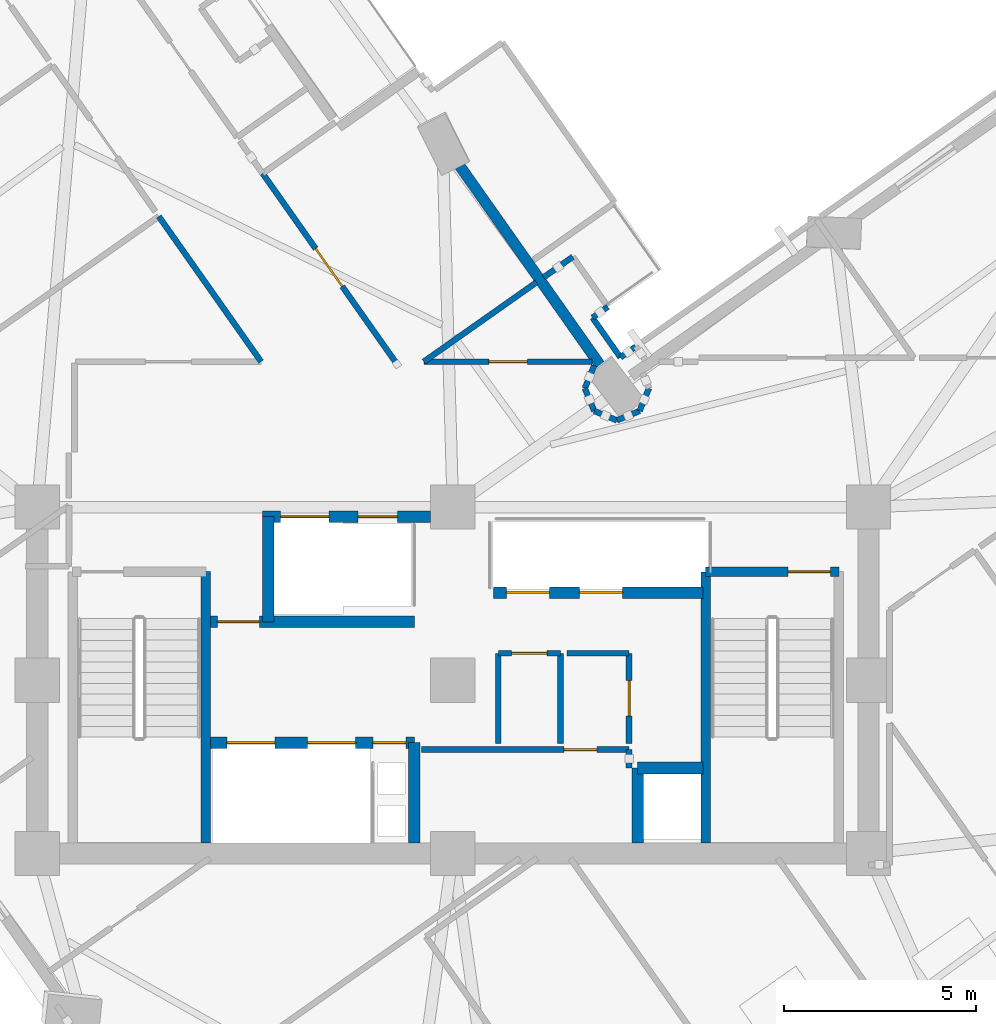
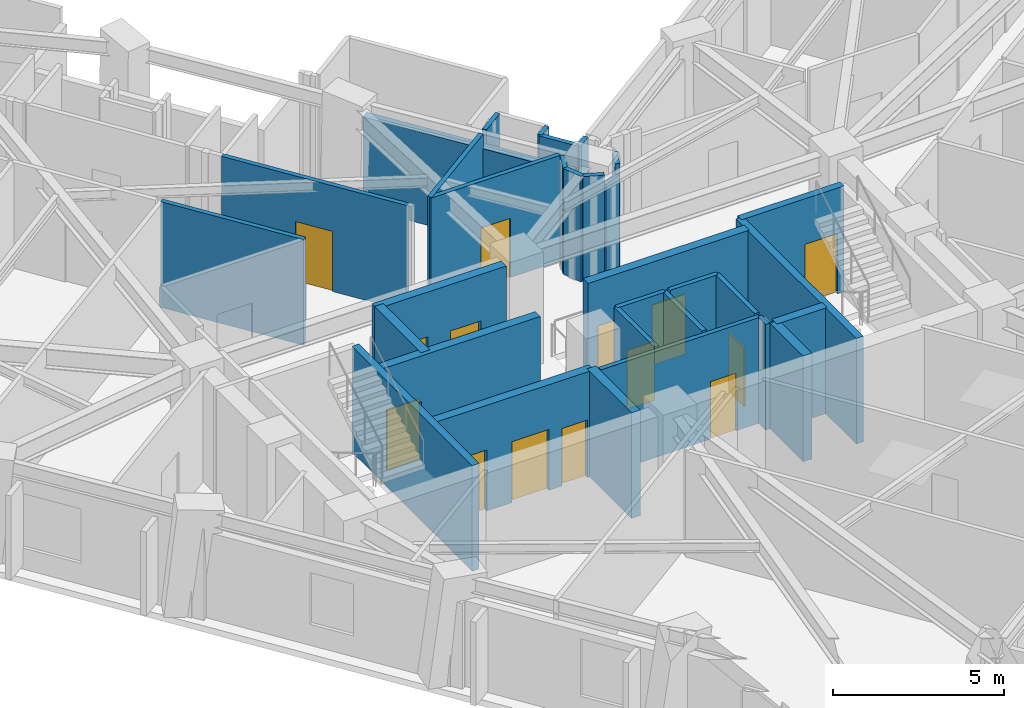
# One storey, part 5 of 13: 32 walls, 14 doors, 14 openings.
"""IFC4 building model written with IfcOpenShell, lengths in metres."""

from ifc_helpers import new_model, si_unit, direction, frame, frame_2d, origin, place, context, subcontext, project, spatial, rectangle, extrude, material, layer, layer_set, type_object, element, fill, save


model = new_model("IFC4")

# Units and contexts
model_context = context("Model", 3, precision=1e-05, world=origin(), true_north=direction((0.0, 1.0)))
body_context = subcontext(model_context, "Body", "Model", "MODEL_VIEW")
ifc_project = project(units=[si_unit("LENGTHUNIT", "METRE"), si_unit("AREAUNIT", "SQUARE_METRE"), si_unit("VOLUMEUNIT", "CUBIC_METRE"), si_unit("PLANEANGLEUNIT", "RADIAN"), si_unit("MASSUNIT", "GRAM", prefix="KILO")], contexts=[model_context])

# Site, building, storey
site_placement = place(None, origin())
site = spatial("IfcSite", under=ifc_project, at=site_placement, CompositionType="ELEMENT")
building_placement = place(site_placement, origin())
building = spatial("IfcBuilding", under=site, at=building_placement, Name="Gaonmaruhae Medical Tower", CompositionType="ELEMENT")
storey_placement = place(building_placement, frame((0.0, 0.0, 173.800048828125)))
storey = spatial("IfcBuildingStorey", under=building, at=storey_placement, Name="L41", CompositionType="ELEMENT", Elevation=173.800048828125)

# Wall
ifc_material_1 = material(Name="Precast concrete C45/55", Category="concrete")
ifc_layer_1 = layer(ifc_material_1, 0.280029296875)
ifc_layer_set_1 = layer_set([ifc_layer_1], Name="Precast concrete C45/55")
wall_type_1 = type_object("IfcWallType", Name="EW-280 Upper Precast Masonry-Frame Facade Wall", PredefinedType="SOLIDWALL", material=ifc_layer_set_1)
wall_1_placement = place(storey_placement, frame((28.76708984375, 20.28662109375, 0.0), z_axis=(0.0, 0.0, 1.0), x_axis=(-0.575707206598, 0.817655925357, 0.0)))
element("IfcWall", 1, at=wall_1_placement, inside=storey, type_object=wall_type_1, Name="L41 Precast Masonry-Frame Wall KN01-NE01", PredefinedType="SOLIDWALL", context=body_context, shape_type="SweptSolid", body=[
    extrude(rectangle(XDim=6.759765625, YDim=0.280029296875, at=frame_2d((3.3798828125, 0.0))), origin(), (0.0, 0.0, 1.0), 3.264892578125),
])

# Wall, opening, door
ifc_material_2 = material(Name="Gypsum board partition", Category="gypsum")
ifc_layer_2 = layer(ifc_material_2, 0.14990234375)
ifc_layer_set_2 = layer_set([ifc_layer_2], Name="Gypsum board partition")
wall_type_2 = type_object("IfcWallType", Name="PW-150 Rated Clinical Corridor Partition", PredefinedType="PARTITIONING", material=ifc_layer_set_2)
wall_2_placement = place(storey_placement, frame((23.97998046875, 10.5, 0.0), z_axis=(0.0, 0.0, 1.0), x_axis=(1.0, 0.0, 0.0)))
wall_2 = element("IfcWall", 2, at=wall_2_placement, inside=storey, type_object=wall_type_2, Name="L41 Interior Partition L41-RCL1-1", PredefinedType="PARTITIONING", context=body_context, shape_type="SweptSolid", body=[
    extrude(rectangle(XDim=5.39990234375, YDim=0.14990234375, at=frame_2d((2.699951171875, 0.0))), origin(), (0.0, 0.0, 1.0), 3.780029296875),
])
opening_1_placement = place(wall_2_placement, frame((3.702880859375, 0.0, 0.0)))
opening_1 = element("IfcOpeningElement", 3, at=opening_1_placement, cuts=wall_2, Name="Opening AD-01", PredefinedType="OPENING", context=body_context, shape_type="SweptSolid", body=[
    extrude(rectangle(XDim=0.860107421875, YDim=2.06005859375, at=frame_2d((0.43017578125, 1.030029296875))), frame((0.0, 0.0849609375, 0.0), z_axis=(0.0, -1.0, 0.0), x_axis=(1.0, 0.0, 0.0)), (0.0, 0.0, 1.0), 0.169921875),
])
ifc_material_3 = material(Name="Powder-coated steel access door", Category="steel")
door_type_1 = type_object("IfcDoorType", Name="AD-01 Riser & Closet Access Fire Door 860x2060", OperationType="NOTDEFINED", PredefinedType="DOOR", material=ifc_material_3)
door_1_placement = place(opening_1_placement, origin())
door_1 = element("IfcDoor", 4, at=door_1_placement, inside=storey, type_object=door_type_1, Name="L41 Biomedical Infusion Preparation Room Sliding Door", OperationType="SLIDING_TO_LEFT", OverallHeight=2.06005859375, OverallWidth=0.860107421875, PredefinedType="DOOR", context=body_context, shape_type="SweptSolid", body=[
    extrude(rectangle(XDim=0.860107421875, YDim=2.06005859375, at=frame_2d((0.43017578125, 1.030029296875))), frame((0.0, 0.02490234375, 0.0), z_axis=(0.0, -1.0, 0.0), x_axis=(1.0, 0.0, 0.0)), (0.0, 0.0, 1.0), 0.050048828125),
])
fill(opening_1, door_1)

# Walls
wall_3_placement = place(storey_placement, frame((29.3798828125, 10.5, 0.0), z_axis=(0.0, 0.0, 1.0), x_axis=(0.0, -1.0, 0.0)))
element("IfcWall", 5, at=wall_3_placement, inside=storey, type_object=wall_type_2, Name="L41 Interior Partition L41-RCL1-2", PredefinedType="PARTITIONING", context=body_context, shape_type="SweptSolid", body=[
    extrude(rectangle(XDim=0.47998046875, YDim=0.14990234375, at=frame_2d((0.239990234375, 0.0))), origin(), (0.0, 0.0, 1.0), 3.780029296875),
])
wall_4_placement = place(storey_placement, frame((25.97998046875, 10.659912109375, 0.0), z_axis=(0.0, 0.0, 1.0), x_axis=(0.0, 1.0, 0.0)))
element("IfcWall", 6, at=wall_4_placement, inside=storey, type_object=wall_type_2, Name="L41 Interior Partition L41-CS1-3", PredefinedType="PARTITIONING", context=body_context, shape_type="SweptSolid", body=[
    extrude(rectangle(XDim=2.340087890625, YDim=0.14990234375, at=frame_2d((1.169921875, 0.0))), origin(), (0.0, 0.0, 1.0), 3.780029296875),
])

# Wall, opening, door
wall_5_placement = place(storey_placement, frame((25.97998046875, 13.0, 0.0), z_axis=(0.0, 0.0, 1.0), x_axis=(1.0, 0.0, 0.0)))
wall_5 = element("IfcWall", 7, at=wall_5_placement, inside=storey, type_object=wall_type_2, Name="L41 Interior Partition L41-CS1-4", PredefinedType="PARTITIONING", context=body_context, shape_type="SweptSolid", body=[
    extrude(rectangle(XDim=1.6201171875, YDim=0.14990234375, at=frame_2d((0.81005859375, 0.0))), origin(), (0.0, 0.0, 1.0), 3.780029296875),
])
opening_2_placement = place(wall_5_placement, frame((0.35009765625, 0.0, 0.0)))
opening_2 = element("IfcOpeningElement", 8, at=opening_2_placement, cuts=wall_5, Name="Opening UD-01", PredefinedType="OPENING", context=body_context, shape_type="SweptSolid", body=[
    extrude(rectangle(XDim=0.919921875, YDim=2.10009765625, at=frame_2d((0.4599609375, 1.050048828125))), frame((0.0, 0.0849609375, 0.0), z_axis=(0.0, -1.0, 0.0), x_axis=(1.0, 0.0, 0.0)), (0.0, 0.0, 1.0), 0.169921875),
])
ifc_material_4 = material(Name="Powder-coated steel utility door", Category="steel")
door_type_2 = type_object("IfcDoorType", Name="UD-01 Toilet, Utility & Housekeeping Door 920x2100", OperationType="NOTDEFINED", PredefinedType="DOOR", material=ifc_material_4)
door_2_placement = place(opening_2_placement, origin())
door_2 = element("IfcDoor", 9, at=door_2_placement, inside=storey, type_object=door_type_2, Name="L41 Accessible Staff Toilet Door", OperationType="SINGLE_SWING_RIGHT", OverallHeight=2.10009765625, OverallWidth=0.919921875, PredefinedType="DOOR", context=body_context, shape_type="SweptSolid", body=[
    extrude(rectangle(XDim=0.919921875, YDim=2.10009765625, at=frame_2d((0.4599609375, 1.050048828125))), frame((0.0, 0.02490234375, 0.0), z_axis=(0.0, -1.0, 0.0), x_axis=(1.0, 0.0, 0.0)), (0.0, 0.0, 1.0), 0.050048828125),
])
fill(opening_2, door_2)

# Walls
wall_6_placement = place(storey_placement, frame((27.60009765625, 13.0, 0.0), z_axis=(0.0, 0.0, 1.0), x_axis=(0.0, -1.0, 0.0)))
element("IfcWall", 10, at=wall_6_placement, inside=storey, type_object=wall_type_2, Name="L41 Interior Partition L41-CS1-5", PredefinedType="PARTITIONING", context=body_context, shape_type="SweptSolid", body=[
    extrude(rectangle(XDim=2.340087890625, YDim=0.14990234375, at=frame_2d((1.169921875, 0.0))), origin(), (0.0, 0.0, 1.0), 3.780029296875),
])
wall_7_placement = place(storey_placement, frame((27.760009765625, 13.0, 0.0), z_axis=(0.0, 0.0, 1.0), x_axis=(1.0, 0.0, 0.0)))
element("IfcWall", 11, at=wall_7_placement, inside=storey, type_object=wall_type_2, Name="L41 Interior Partition L41-CS2-6", PredefinedType="PARTITIONING", context=body_context, shape_type="SweptSolid", body=[
    extrude(rectangle(XDim=1.619873046875, YDim=0.14990234375, at=frame_2d((0.81005859375, 0.0))), origin(), (0.0, 0.0, 1.0), 3.780029296875),
])

# Wall, opening, door
wall_8_placement = place(storey_placement, frame((29.3798828125, 13.0, 0.0), z_axis=(0.0, 0.0, 1.0), x_axis=(0.0, -1.0, 0.0)))
wall_8 = element("IfcWall", 12, at=wall_8_placement, inside=storey, type_object=wall_type_2, Name="L41 Interior Partition L41-CS2-7", PredefinedType="PARTITIONING", context=body_context, shape_type="SweptSolid", body=[
    extrude(rectangle(XDim=2.340087890625, YDim=0.14990234375, at=frame_2d((1.169921875, 0.0))), origin(), (0.0, 0.0, 1.0), 3.780029296875),
])
opening_3_placement = place(wall_8_placement, frame((0.7099609375, 0.0, 0.0)))
opening_3 = element("IfcOpeningElement", 13, at=opening_3_placement, cuts=wall_8, Name="Opening UD-01", PredefinedType="OPENING", context=body_context, shape_type="SweptSolid", body=[
    extrude(rectangle(XDim=0.919921875, YDim=2.10009765625, at=frame_2d((0.4599609375, 1.050048828125))), frame((0.0, 0.0849609375, 0.0), z_axis=(0.0, -1.0, 0.0), x_axis=(1.0, 0.0, 0.0)), (0.0, 0.0, 1.0), 0.169921875),
])
door_3_placement = place(opening_3_placement, origin())
door_3 = element("IfcDoor", 14, at=door_3_placement, inside=storey, type_object=door_type_2, Name="L41 Biomedical Telemetry Closet Door", OperationType="SINGLE_SWING_RIGHT", OverallHeight=2.10009765625, OverallWidth=0.919921875, PredefinedType="DOOR", context=body_context, shape_type="SweptSolid", body=[
    extrude(rectangle(XDim=0.919921875, YDim=2.10009765625, at=frame_2d((0.4599609375, 1.050048828125))), frame((0.0, 0.02490234375, 0.0), z_axis=(0.0, -1.0, 0.0), x_axis=(1.0, 0.0, 0.0)), (0.0, 0.0, 1.0), 0.050048828125),
])
fill(opening_3, door_3)

# Walls
wall_9_placement = place(storey_placement, frame((17.158935546875, 24.35302734375, 0.0), z_axis=(0.0, 0.0, 1.0), x_axis=(0.575775132448, -0.817608094905, 0.0)))
element("IfcWall", 15, at=wall_9_placement, inside=storey, type_object=wall_type_2, Name="L41 Interior Partition L41-WOF15-49", PredefinedType="PARTITIONING", context=body_context, shape_type="SweptSolid", body=[
    extrude(rectangle(XDim=4.614501953125, YDim=0.14990234375, at=frame_2d((2.30712890625, 0.0))), origin(), (0.0, 0.0, 1.0), 3.780029296875),
])
wall_10_placement = place(storey_placement, frame((29.155029296875, 20.69189453125, 0.0), z_axis=(0.0, 0.0, 1.0), x_axis=(0.817023152975, 0.576604862539, 0.0)))
element("IfcWall", 16, at=wall_10_placement, inside=storey, type_object=wall_type_2, Name="L41 Interior Partition L41-IE01-59", PredefinedType="PARTITIONING", context=body_context, shape_type="SweptSolid", body=[
    extrude(rectangle(XDim=0.489501953125, YDim=0.14990234375, at=frame_2d((0.24462890625, 0.0))), origin(), (0.0, 0.0, 1.0), 3.780029296875),
])
wall_11_placement = place(storey_placement, frame((29.89599609375, 19.887939453125, 0.0), z_axis=(0.0, 0.0, 1.0), x_axis=(-0.382115291723, -0.924114659462, 0.0)))
element("IfcWall", 17, at=wall_11_placement, inside=storey, type_object=wall_type_2, Name="L41 Interior Partition L41-IE01-62", PredefinedType="PARTITIONING", context=body_context, shape_type="SweptSolid", body=[
    extrude(rectangle(XDim=0.63818359375, YDim=0.14990234375, at=frame_2d((0.319091796875, 0.0))), origin(), (0.0, 0.0, 1.0), 3.780029296875),
])
wall_12_placement = place(storey_placement, frame((29.652099609375, 19.298095703125, 0.0), z_axis=(0.0, 0.0, 1.0), x_axis=(-0.924035461503, -0.382306769343, 0.0)))
element("IfcWall", 18, at=wall_12_placement, inside=storey, type_object=wall_type_2, Name="L41 Interior Partition L41-IE01-63", PredefinedType="PARTITIONING", context=body_context, shape_type="SweptSolid", body=[
    extrude(rectangle(XDim=0.638671875, YDim=0.14990234375, at=frame_2d((0.3193359375, 0.0))), origin(), (0.0, 0.0, 1.0), 3.4150390625),
])
wall_13_placement = place(storey_placement, frame((29.06201171875, 19.053955078125, 0.0), z_axis=(0.0, 0.0, 1.0), x_axis=(-0.923811477415, 0.382847690599, 0.0)))
element("IfcWall", 19, at=wall_13_placement, inside=storey, type_object=wall_type_2, Name="L41 Interior Partition L41-IE01-64", PredefinedType="PARTITIONING", context=body_context, shape_type="SweptSolid", body=[
    extrude(rectangle(XDim=0.6376953125, YDim=0.14990234375, at=frame_2d((0.31884765625, 0.0))), origin(), (0.0, 0.0, 1.0), 3.780029296875),
])
wall_14_placement = place(storey_placement, frame((28.472900390625, 19.298095703125, 0.0), z_axis=(0.0, 0.0, 1.0), x_axis=(-0.382115291723, 0.924114659462, 0.0)))
element("IfcWall", 20, at=wall_14_placement, inside=storey, type_object=wall_type_2, Name="L41 Interior Partition L41-IE01-65", PredefinedType="PARTITIONING", context=body_context, shape_type="SweptSolid", body=[
    extrude(rectangle(XDim=0.63818359375, YDim=0.14990234375, at=frame_2d((0.319091796875, 0.0))), origin(), (0.0, 0.0, 1.0), 3.780029296875),
])
wall_15_placement = place(storey_placement, frame((28.22900390625, 19.887939453125, 0.0), z_axis=(0.0, 0.0, 1.0), x_axis=(0.382520885967, 0.923946844683, 0.0)))
element("IfcWall", 21, at=wall_15_placement, inside=storey, type_object=wall_type_2, Name="L41 Interior Partition L41-IE01-66", PredefinedType="PARTITIONING", context=body_context, shape_type="SweptSolid", body=[
    extrude(rectangle(XDim=0.6376953125, YDim=0.14990234375, at=frame_2d((0.31884765625, 0.0))), origin(), (0.0, 0.0, 1.0), 3.780029296875),
])

# Wall, opening, door
wall_16_placement = place(storey_placement, frame((28.4208984375, 20.5791015625, 0.0), z_axis=(0.0, 0.0, 1.0), x_axis=(-0.999999975088, 0.00022321428, 0.0)))
wall_16 = element("IfcWall", 22, at=wall_16_placement, inside=storey, type_object=wall_type_2, Name="L41 Interior Partition L41-IE01-67", PredefinedType="PARTITIONING", context=body_context, shape_type="SweptSolid", body=[
    extrude(rectangle(XDim=4.375, YDim=0.14990234375, at=frame_2d((2.1875, 0.0))), origin(), (0.0, 0.0, 1.0), 3.780029296875),
])
opening_4_placement = place(wall_16_placement, frame((1.6875, 0.0, 0.0)))
opening_4 = element("IfcOpeningElement", 23, at=opening_4_placement, cuts=wall_16, Name="Opening CD-01", PredefinedType="OPENING", context=body_context, shape_type="SweptSolid", body=[
    extrude(rectangle(XDim=1.0, YDim=2.1201171875, at=frame_2d((0.5, 1.06005859375))), frame((0.0, 0.0849609375, 0.0), z_axis=(0.0, -1.0, 0.0), x_axis=(1.0, 0.0, 0.0)), (0.0, 0.0, 1.0), 0.169921875),
])
ifc_material_5 = material(Name="Antimicrobial laminate timber fire door", Category="wood")
door_type_3 = type_object("IfcDoorType", Name="CD-01 Consultation & Physician Office Door 1000x2120", OperationType="NOTDEFINED", PredefinedType="DOOR", material=ifc_material_5)
door_4_placement = place(opening_4_placement, origin())
door_4 = element("IfcDoor", 24, at=door_4_placement, inside=storey, type_object=door_type_3, Name="L41 Central Clinical Nurse Station Door", OperationType="SINGLE_SWING_LEFT", OverallHeight=2.1201171875, OverallWidth=1.0, PredefinedType="DOOR", context=body_context, shape_type="SweptSolid", body=[
    extrude(rectangle(XDim=1.0, YDim=2.1201171875, at=frame_2d((0.5, 1.06005859375))), frame((0.0, 0.02490234375, 0.0), z_axis=(0.0, -1.0, 0.0), x_axis=(1.0, 0.0, 0.0)), (0.0, 0.0, 1.0), 0.050048828125),
])
fill(opening_4, door_4)

# Walls
wall_17_placement = place(storey_placement, frame((24.0458984375, 20.580078125, 0.0), z_axis=(0.0, 0.0, 1.0), x_axis=(0.817654070061, 0.575709841598, 0.0)))
element("IfcWall", 25, at=wall_17_placement, inside=storey, type_object=wall_type_2, Name="L41 Interior Partition L41-IE01-68", PredefinedType="PARTITIONING", context=body_context, shape_type="SweptSolid", body=[
    extrude(rectangle(XDim=3.576171875, YDim=0.14990234375, at=frame_2d((1.7880859375, 0.0))), origin(), (0.0, 0.0, 1.0), 3.780029296875),
])
wall_18_placement = place(storey_placement, frame((27.157958984375, 22.77099609375, 0.0), z_axis=(0.0, 0.0, 1.0), x_axis=(0.817705284869, 0.575637096701, 0.0)))
element("IfcWall", 26, at=wall_18_placement, inside=storey, type_object=wall_type_2, Name="L41 Interior Partition L41-IE01-69", PredefinedType="PARTITIONING", context=body_context, shape_type="SweptSolid", body=[
    extrude(rectangle(XDim=0.92578125, YDim=0.14990234375, at=frame_2d((0.462890625, 0.0))), origin(), (0.0, 0.0, 1.0), 3.780029296875),
])
wall_19_placement = place(storey_placement, frame((28.8291015625, 22.0048828125, 0.0), z_axis=(0.0, 0.0, 1.0), x_axis=(-0.817423724009, -0.57603685249, 0.0)))
element("IfcWall", 27, at=wall_19_placement, inside=storey, type_object=wall_type_2, Name="L41 Interior Partition L41-IE01-71", PredefinedType="PARTITIONING", context=body_context, shape_type="SweptSolid", body=[
    extrude(rectangle(XDim=0.489501953125, YDim=0.14990234375, at=frame_2d((0.24462890625, 0.0))), origin(), (0.0, 0.0, 1.0), 3.780029296875),
])
wall_20_placement = place(storey_placement, frame((28.428955078125, 21.722900390625, 0.0), z_axis=(0.0, 0.0, 1.0), x_axis=(0.575785910644, -0.817600504589, 0.0)))
element("IfcWall", 28, at=wall_20_placement, inside=storey, type_object=wall_type_2, Name="L41 Interior Partition L41-IE01-72", PredefinedType="PARTITIONING", context=body_context, shape_type="SweptSolid", body=[
    extrude(rectangle(XDim=1.260986328125, YDim=0.14990234375, at=frame_2d((0.63037109375, 0.0))), origin(), (0.0, 0.0, 1.0), 3.780029296875),
])

# Wall, opening, door
wall_21_placement = place(storey_placement, frame((23.302001953125, 20.580078125, 0.0), z_axis=(0.0, 0.0, 1.0), x_axis=(-0.575790528848, 0.817597252252, 0.0)))
wall_21 = element("IfcWall", 29, at=wall_21_placement, inside=storey, type_object=wall_type_2, Name="L41 Interior Partition L41-IN01-97", PredefinedType="PARTITIONING", context=body_context, shape_type="SweptSolid", body=[
    extrude(rectangle(XDim=5.983154296875, YDim=0.14990234375, at=frame_2d((2.99169921875, 0.0))), origin(), (0.0, 0.0, 1.0), 3.780029296875),
])
opening_5_placement = place(wall_21_placement, frame((2.3916015625, 0.0, 0.0)))
opening_5 = element("IfcOpeningElement", 30, at=opening_5_placement, cuts=wall_21, Name="Opening CD-02", PredefinedType="OPENING", context=body_context, shape_type="SweptSolid", body=[
    extrude(rectangle(XDim=1.199951171875, YDim=2.14990234375, at=frame_2d((0.60009765625, 1.074951171875))), frame((0.0, 0.0849609375, 0.0), z_axis=(0.0, -1.0, 0.0), x_axis=(1.0, 0.0, 0.0)), (0.0, 0.0, 1.0), 0.169921875),
])
door_type_4 = type_object("IfcDoorType", Name="CD-02 Clinical Treatment & Procedure Door 1200x2150", OperationType="NOTDEFINED", PredefinedType="DOOR", material=ifc_material_5)
door_5_placement = place(opening_5_placement, origin())
door_5 = element("IfcDoor", 31, at=door_5_placement, inside=storey, type_object=door_type_4, Name="L41 Physician Consultation Office Door", OperationType="SINGLE_SWING_RIGHT", OverallHeight=2.14990234375, OverallWidth=1.199951171875, PredefinedType="DOOR", context=body_context, shape_type="SweptSolid", body=[
    extrude(rectangle(XDim=1.199951171875, YDim=2.14990234375, at=frame_2d((0.60009765625, 1.074951171875))), frame((0.0, 0.02490234375, 0.0), z_axis=(0.0, -1.0, 0.0), x_axis=(1.0, 0.0, 0.0)), (0.0, 0.0, 1.0), 0.050048828125),
])
fill(opening_5, door_5)

# Wall
ifc_material_6 = material(Name="Concrete C50/60", Category="concrete")
ifc_layer_3 = layer(ifc_material_6, 0.239990234375)
ifc_layer_set_3 = layer_set([ifc_layer_3], Name="Concrete C50/60")
wall_type_3 = type_object("IfcWallType", Name="SW-240 Dogleg Stair Tight Shaft Wall", PredefinedType="SOLIDWALL", material=ifc_layer_set_3)
wall_22_placement = place(storey_placement, frame((18.3798828125, 15.1201171875, 0.0), z_axis=(0.0, 0.0, 1.0), x_axis=(0.0, -1.0, 0.0)))
element("IfcWall", 32, at=wall_22_placement, inside=storey, type_object=wall_type_3, Name="L41 ST-01 Stair Shaft Wall SHW-ST-01-E", PredefinedType="SOLIDWALL", context=body_context, shape_type="SweptSolid", body=[
    extrude(rectangle(XDim=7.045166015625, YDim=0.239990234375, at=frame_2d((3.5224609375, 0.0))), origin(), (0.0, 0.0, 1.0), 3.780029296875),
])

# Wall, opening, door
wall_23_placement = place(storey_placement, frame((31.3701171875, 15.1201171875, 0.0), z_axis=(0.0, 0.0, 1.0), x_axis=(1.0, 0.0, 0.0)))
wall_23 = element("IfcWall", 33, at=wall_23_placement, inside=storey, type_object=wall_type_3, Name="L41 ST-02 Stair Shaft Wall SHW-ST-02-N", PredefinedType="SOLIDWALL", context=body_context, shape_type="SweptSolid", body=[
    extrude(rectangle(XDim=3.4599609375, YDim=0.239990234375, at=frame_2d((1.72998046875, 0.0))), origin(), (0.0, 0.0, 1.0), 3.780029296875),
])
opening_6_placement = place(wall_23_placement, frame((2.139892578125, 0.0, 0.0)))
opening_6 = element("IfcOpeningElement", 34, at=opening_6_placement, cuts=wall_23, Name="Opening FD-01", PredefinedType="OPENING", context=body_context, shape_type="SweptSolid", body=[
    extrude(rectangle(XDim=1.10009765625, YDim=2.14990234375, at=frame_2d((0.550048828125, 1.074951171875))), frame((0.0, 0.1298828125, 0.0), z_axis=(0.0, -1.0, 0.0), x_axis=(1.0, 0.0, 0.0)), (0.0, 0.0, 1.0), 0.260009765625),
])
ifc_material_7 = material(Name="Powder-coated steel fire door", Category="steel")
door_type_5 = type_object("IfcDoorType", Name="FD-01 Escape Stair Protected Fire Door 1100x2150", OperationType="NOTDEFINED", PredefinedType="DOOR", material=ifc_material_7)
door_6_placement = place(opening_6_placement, origin())
door_6 = element("IfcDoor", 35, at=door_6_placement, inside=storey, type_object=door_type_5, Name="L41 ST-02 Protected Escape Stair Door", OperationType="SINGLE_SWING_LEFT", OverallHeight=2.14990234375, OverallWidth=1.10009765625, PredefinedType="DOOR", context=body_context, shape_type="SweptSolid", body=[
    extrude(rectangle(XDim=1.10009765625, YDim=2.14990234375, at=frame_2d((0.550048828125, 1.074951171875))), frame((0.0, 0.02490234375, 0.0), z_axis=(0.0, -1.0, 0.0), x_axis=(1.0, 0.0, 0.0)), (0.0, 0.0, 1.0), 0.050048828125),
])
fill(opening_6, door_6)

# Wall
wall_24_placement = place(storey_placement, frame((31.3701171875, 8.074951171875, 0.0), z_axis=(0.0, 0.0, 1.0), x_axis=(0.0, 1.0, 0.0)))
element("IfcWall", 36, at=wall_24_placement, inside=storey, type_object=wall_type_3, Name="L41 ST-02 Stair Shaft Wall SHW-ST-02-W", PredefinedType="SOLIDWALL", context=body_context, shape_type="SweptSolid", body=[
    extrude(rectangle(XDim=7.045166015625, YDim=0.239990234375, at=frame_2d((3.5224609375, 0.0))), origin(), (0.0, 0.0, 1.0), 3.780029296875),
])

# Wall, openings, doors
ifc_layer_4 = layer(ifc_material_6, 0.300048828125)
ifc_layer_set_4 = layer_set([ifc_layer_4], Name="Concrete C50/60")
wall_type_4 = type_object("IfcWallType", Name="SW-300 Stair & Lift Hoistway Shaft Wall", PredefinedType="SOLIDWALL", material=ifc_layer_set_4)
wall_25_placement = place(storey_placement, frame((19.85009765625, 16.550048828125, 0.0), z_axis=(0.0, 0.0, 1.0), x_axis=(1.0, 0.0, 0.0)))
wall_25 = element("IfcWall", 37, at=wall_25_placement, inside=storey, type_object=wall_type_4, Name="L41 Core Shear Wall CSW-NB", PredefinedType="SOLIDWALL", context=body_context, shape_type="SweptSolid", body=[
    extrude(rectangle(XDim=4.375, YDim=0.300048828125, at=frame_2d((2.1875, 0.0))), origin(), (0.0, 0.0, 1.0), 3.780029296875),
])
opening_7_placement = place(wall_25_placement, frame((0.47509765625, 0.0, 0.0)))
opening_7 = element("IfcOpeningElement", 38, at=opening_7_placement, cuts=wall_25, Name="Opening LD-F1", PredefinedType="OPENING", context=body_context, shape_type="SweptSolid", body=[
    extrude(rectangle(XDim=1.25, YDim=2.179931640625, at=frame_2d((0.625, 1.08984375))), frame((0.0, 0.16015625, 0.0), z_axis=(0.0, -1.0, 0.0), x_axis=(1.0, 0.0, 0.0)), (0.0, 0.0, 1.0), 0.320068359375),
])
opening_8_placement = place(wall_25_placement, frame((2.489990234375, 0.0, 0.0)))
opening_8 = element("IfcOpeningElement", 39, at=opening_8_placement, cuts=wall_25, Name="Opening LD-S1", PredefinedType="OPENING", context=body_context, shape_type="SweptSolid", body=[
    extrude(rectangle(XDim=1.02001953125, YDim=2.1201171875, at=frame_2d((0.510009765625, 1.06005859375))), frame((0.0, 0.16015625, 0.0), z_axis=(0.0, -1.0, 0.0), x_axis=(1.0, 0.0, 0.0)), (0.0, 0.0, 1.0), 0.320068359375),
])
ifc_material_8 = material(Name="Brushed stainless steel 316L landing door", Category="steel")
door_type_6 = type_object("IfcDoorType", Name="LD-F1 Firefighting & Bed Lift Sliding Landing Door 1250x2180", OperationType="NOTDEFINED", PredefinedType="DOOR", material=ifc_material_8)
door_7_placement = place(opening_7_placement, origin())
door_7 = element("IfcDoor", 40, at=door_7_placement, inside=storey, type_object=door_type_6, Name="L41 Service/Bed Lift Landing Door BDL-01", OperationType="DOUBLE_DOOR_SLIDING", OverallHeight=2.179931640625, OverallWidth=1.25, PredefinedType="DOOR", context=body_context, shape_type="SweptSolid", body=[
    extrude(rectangle(XDim=1.25, YDim=2.179931640625, at=frame_2d((0.625, 1.08984375))), frame((0.0, 0.02490234375, 0.0), z_axis=(0.0, -1.0, 0.0), x_axis=(1.0, 0.0, 0.0)), (0.0, 0.0, 1.0), 0.050048828125),
])
fill(opening_7, door_7)
ifc_material_9 = material(Name="Brushed stainless steel 304 landing door", Category="steel")
door_type_7 = type_object("IfcDoorType", Name="LD-S1 Service Lift Sliding Landing Door 1020x2120", OperationType="NOTDEFINED", PredefinedType="DOOR", material=ifc_material_9)
door_8_placement = place(opening_8_placement, origin())
door_8 = element("IfcDoor", 41, at=door_8_placement, inside=storey, type_object=door_type_7, Name="L41 Service/Bed Lift Landing Door SVL-01", OperationType="SLIDING_TO_LEFT", OverallHeight=2.1201171875, OverallWidth=1.02001953125, PredefinedType="DOOR", context=body_context, shape_type="SweptSolid", body=[
    extrude(rectangle(XDim=1.02001953125, YDim=2.1201171875, at=frame_2d((0.510009765625, 1.06005859375))), frame((0.0, 0.02490234375, 0.0), z_axis=(0.0, -1.0, 0.0), x_axis=(1.0, 0.0, 0.0)), (0.0, 0.0, 1.0), 0.050048828125),
])
fill(opening_8, door_8)

wall_26_placement = place(storey_placement, frame((18.5, 10.679931640625, 0.0), z_axis=(0.0, 0.0, 1.0), x_axis=(1.0, 0.0, 0.0)))
wall_26 = element("IfcWall", 42, at=wall_26_placement, inside=storey, type_object=wall_type_4, Name="L41 Shaft Enclosure Wall SHW-FFN", PredefinedType="SOLIDWALL", context=body_context, shape_type="SweptSolid", body=[
    extrude(rectangle(XDim=5.300048828125, YDim=0.300048828125, at=frame_2d((2.64990234375, 0.0))), origin(), (0.0, 0.0, 1.0), 3.780029296875),
])
opening_9_placement = place(wall_26_placement, frame((4.219970703125, 0.0, 0.0)))
opening_9 = element("IfcOpeningElement", 43, at=opening_9_placement, cuts=wall_26, Name="Opening AD-01", PredefinedType="OPENING", context=body_context, shape_type="SweptSolid", body=[
    extrude(rectangle(XDim=0.860107421875, YDim=2.06005859375, at=frame_2d((0.43017578125, 1.030029296875))), frame((0.0, 0.16015625, 0.0), z_axis=(0.0, -1.0, 0.0), x_axis=(1.0, 0.0, 0.0)), (0.0, 0.0, 1.0), 0.320068359375),
])
opening_10_placement = place(wall_26_placement, frame((0.425048828125, 0.0, 0.0)))
opening_10 = element("IfcOpeningElement", 44, at=opening_10_placement, cuts=wall_26, Name="Opening LD-F1", PredefinedType="OPENING", context=body_context, shape_type="SweptSolid", body=[
    extrude(rectangle(XDim=1.25, YDim=2.179931640625, at=frame_2d((0.625, 1.08984375))), frame((0.0, 0.16015625, 0.0), z_axis=(0.0, -1.0, 0.0), x_axis=(1.0, 0.0, 0.0)), (0.0, 0.0, 1.0), 0.320068359375),
])
opening_11_placement = place(wall_26_placement, frame((2.52490234375, 0.0, 0.0)))
opening_11 = element("IfcOpeningElement", 45, at=opening_11_placement, cuts=wall_26, Name="Opening LD-F1", PredefinedType="OPENING", context=body_context, shape_type="SweptSolid", body=[
    extrude(rectangle(XDim=1.25, YDim=2.179931640625, at=frame_2d((0.625, 1.08984375))), frame((0.0, 0.16015625, 0.0), z_axis=(0.0, -1.0, 0.0), x_axis=(1.0, 0.0, 0.0)), (0.0, 0.0, 1.0), 0.320068359375),
])
door_9_placement = place(opening_9_placement, origin())
door_9 = element("IfcDoor", 46, at=door_9_placement, inside=storey, type_object=door_type_1, Name="L41 Medical Gas and MEP Riser Access Door", OperationType="SINGLE_SWING_RIGHT", OverallHeight=2.06005859375, OverallWidth=0.860107421875, PredefinedType="DOOR", context=body_context, shape_type="SweptSolid", body=[
    extrude(rectangle(XDim=0.860107421875, YDim=2.06005859375, at=frame_2d((0.43017578125, 1.030029296875))), frame((0.0, 0.02490234375, 0.0), z_axis=(0.0, -1.0, 0.0), x_axis=(1.0, 0.0, 0.0)), (0.0, 0.0, 1.0), 0.050048828125),
])
fill(opening_9, door_9)
door_10_placement = place(opening_10_placement, origin())
door_10 = element("IfcDoor", 47, at=door_10_placement, inside=storey, type_object=door_type_6, Name="L41 Firefighting Lift Landing Door FFL-01", OperationType="DOUBLE_DOOR_SLIDING", OverallHeight=2.179931640625, OverallWidth=1.25, PredefinedType="DOOR", context=body_context, shape_type="SweptSolid", body=[
    extrude(rectangle(XDim=1.25, YDim=2.179931640625, at=frame_2d((0.625, 1.08984375))), frame((0.0, 0.02490234375, 0.0), z_axis=(0.0, -1.0, 0.0), x_axis=(1.0, 0.0, 0.0)), (0.0, 0.0, 1.0), 0.050048828125),
])
fill(opening_10, door_10)
door_11_placement = place(opening_11_placement, origin())
door_11 = element("IfcDoor", 48, at=door_11_placement, inside=storey, type_object=door_type_6, Name="L41 Firefighting Lift Landing Door FFL-02", OperationType="DOUBLE_DOOR_SLIDING", OverallHeight=2.179931640625, OverallWidth=1.25, PredefinedType="DOOR", context=body_context, shape_type="SweptSolid", body=[
    extrude(rectangle(XDim=1.25, YDim=2.179931640625, at=frame_2d((0.625, 1.08984375))), frame((0.0, 0.02490234375, 0.0), z_axis=(0.0, -1.0, 0.0), x_axis=(1.0, 0.0, 0.0)), (0.0, 0.0, 1.0), 0.050048828125),
])
fill(opening_11, door_11)

# Wall, opening, door
wall_27_placement = place(storey_placement, frame((18.5, 13.820068359375, 0.0), z_axis=(0.0, 0.0, 1.0), x_axis=(1.0, 0.0, 0.0)))
wall_27 = element("IfcWall", 49, at=wall_27_placement, inside=storey, type_object=wall_type_4, Name="L41 Shaft Enclosure Wall SHW-FFL", PredefinedType="SOLIDWALL", context=body_context, shape_type="SweptSolid", body=[
    extrude(rectangle(XDim=5.300048828125, YDim=0.300048828125, at=frame_2d((2.64990234375, 0.0))), origin(), (0.0, 0.0, 1.0), 3.780029296875),
])
opening_12_placement = place(wall_27_placement, frame((0.179931640625, 0.0, 0.0)))
opening_12 = element("IfcOpeningElement", 50, at=opening_12_placement, cuts=wall_27, Name="Opening FD-01", PredefinedType="OPENING", context=body_context, shape_type="SweptSolid", body=[
    extrude(rectangle(XDim=1.10009765625, YDim=2.14990234375, at=frame_2d((0.550048828125, 1.074951171875))), frame((0.0, 0.16015625, 0.0), z_axis=(0.0, -1.0, 0.0), x_axis=(1.0, 0.0, 0.0)), (0.0, 0.0, 1.0), 0.320068359375),
])
door_12_placement = place(opening_12_placement, origin())
door_12 = element("IfcDoor", 51, at=door_12_placement, inside=storey, type_object=door_type_5, Name="L41 Firefighting Lobby Smoke Door", OperationType="SINGLE_SWING_LEFT", OverallHeight=2.14990234375, OverallWidth=1.10009765625, PredefinedType="DOOR", context=body_context, shape_type="SweptSolid", body=[
    extrude(rectangle(XDim=1.10009765625, YDim=2.14990234375, at=frame_2d((0.550048828125, 1.074951171875))), frame((0.0, 0.02490234375, 0.0), z_axis=(0.0, -1.0, 0.0), x_axis=(1.0, 0.0, 0.0)), (0.0, 0.0, 1.0), 0.050048828125),
])
fill(opening_12, door_12)

# Walls
wall_28_placement = place(storey_placement, frame((23.800048828125, 8.074951171875, 0.0), z_axis=(0.0, 0.0, 1.0), x_axis=(0.0, 1.0, 0.0)))
element("IfcWall", 52, at=wall_28_placement, inside=storey, type_object=wall_type_4, Name="L41 Shaft Enclosure Wall SHW-FFE", PredefinedType="SOLIDWALL", context=body_context, shape_type="SweptSolid", body=[
    extrude(rectangle(XDim=2.60498046875, YDim=0.300048828125, at=frame_2d((1.302490234375, 0.0))), origin(), (0.0, 0.0, 1.0), 3.780029296875),
])
wall_29_placement = place(storey_placement, frame((20.0, 13.820068359375, 0.0), z_axis=(0.0, 0.0, 1.0), x_axis=(0.0, 1.0, 0.0)))
element("IfcWall", 53, at=wall_29_placement, inside=storey, type_object=wall_type_4, Name="L41 Shaft Enclosure Wall SHW-BDW", PredefinedType="SOLIDWALL", context=body_context, shape_type="SweptSolid", body=[
    extrude(rectangle(XDim=2.72998046875, YDim=0.300048828125, at=frame_2d((1.364990234375, 0.0))), origin(), (0.0, 0.0, 1.0), 3.780029296875),
])
wall_30_placement = place(storey_placement, frame((29.60009765625, 10.02001953125, 0.0), z_axis=(0.0, 0.0, 1.0), x_axis=(1.0, 0.0, 0.0)))
element("IfcWall", 54, at=wall_30_placement, inside=storey, type_object=wall_type_4, Name="L41 Shaft Enclosure Wall SHW-PLS", PredefinedType="SOLIDWALL", context=body_context, shape_type="SweptSolid", body=[
    extrude(rectangle(XDim=1.699951171875, YDim=0.300048828125, at=frame_2d((0.85009765625, 0.0))), origin(), (0.0, 0.0, 1.0), 3.780029296875),
])
wall_31_placement = place(storey_placement, frame((29.60009765625, 8.074951171875, 0.0), z_axis=(0.0, 0.0, 1.0), x_axis=(0.0, 1.0, 0.0)))
element("IfcWall", 55, at=wall_31_placement, inside=storey, type_object=wall_type_4, Name="L41 Shaft Enclosure Wall SHW-PLD1", PredefinedType="SOLIDWALL", context=body_context, shape_type="SweptSolid", body=[
    extrude(rectangle(XDim=1.945068359375, YDim=0.300048828125, at=frame_2d((0.97265625, 0.0))), origin(), (0.0, 0.0, 1.0), 3.780029296875),
])

# Wall, openings, doors
wall_32_placement = place(storey_placement, frame((25.85009765625, 14.580078125, 0.0), z_axis=(0.0, 0.0, 1.0), x_axis=(1.0, 0.0, 0.0)))
wall_32 = element("IfcWall", 56, at=wall_32_placement, inside=storey, type_object=wall_type_4, Name="L41 Shaft Enclosure Wall SHW-PLN", PredefinedType="SOLIDWALL", context=body_context, shape_type="SweptSolid", body=[
    extrude(rectangle(XDim=5.449951171875, YDim=0.300048828125, at=frame_2d((2.72509765625, 0.0))), origin(), (0.0, 0.0, 1.0), 3.780029296875),
])
opening_13_placement = place(wall_32_placement, frame((0.340087890625, 0.0, 0.0)))
opening_13 = element("IfcOpeningElement", 57, at=opening_13_placement, cuts=wall_32, Name="Opening LD-P1", PredefinedType="OPENING", context=body_context, shape_type="SweptSolid", body=[
    extrude(rectangle(XDim=1.1201171875, YDim=2.14990234375, at=frame_2d((0.56005859375, 1.074951171875))), frame((0.0, 0.16015625, 0.0), z_axis=(0.0, -1.0, 0.0), x_axis=(1.0, 0.0, 0.0)), (0.0, 0.0, 1.0), 0.320068359375),
])
opening_14_placement = place(wall_32_placement, frame((2.239990234375, 0.0, 0.0)))
opening_14 = element("IfcOpeningElement", 58, at=opening_14_placement, cuts=wall_32, Name="Opening LD-P1", PredefinedType="OPENING", context=body_context, shape_type="SweptSolid", body=[
    extrude(rectangle(XDim=1.1201171875, YDim=2.14990234375, at=frame_2d((0.56005859375, 1.074951171875))), frame((0.0, 0.16015625, 0.0), z_axis=(0.0, -1.0, 0.0), x_axis=(1.0, 0.0, 0.0)), (0.0, 0.0, 1.0), 0.320068359375),
])
door_type_8 = type_object("IfcDoorType", Name="LD-P1 Passenger Lift Sliding Landing Door 1120x2150", OperationType="NOTDEFINED", PredefinedType="DOOR", material=ifc_material_9)
door_13_placement = place(opening_13_placement, origin())
door_13 = element("IfcDoor", 59, at=door_13_placement, inside=storey, type_object=door_type_8, Name="L41 Passenger Lift Landing Door PL-M1", OperationType="DOUBLE_DOOR_SLIDING", OverallHeight=2.14990234375, OverallWidth=1.1201171875, PredefinedType="DOOR", context=body_context, shape_type="SweptSolid", body=[
    extrude(rectangle(XDim=1.1201171875, YDim=2.14990234375, at=frame_2d((0.56005859375, 1.074951171875))), frame((0.0, 0.02490234375, 0.0), z_axis=(0.0, -1.0, 0.0), x_axis=(1.0, 0.0, 0.0)), (0.0, 0.0, 1.0), 0.050048828125),
])
fill(opening_13, door_13)
door_14_placement = place(opening_14_placement, origin())
door_14 = element("IfcDoor", 60, at=door_14_placement, inside=storey, type_object=door_type_8, Name="L41 Passenger Lift Landing Door PL-M2", OperationType="DOUBLE_DOOR_SLIDING", OverallHeight=2.14990234375, OverallWidth=1.1201171875, PredefinedType="DOOR", context=body_context, shape_type="SweptSolid", body=[
    extrude(rectangle(XDim=1.1201171875, YDim=2.14990234375, at=frame_2d((0.56005859375, 1.074951171875))), frame((0.0, 0.02490234375, 0.0), z_axis=(0.0, -1.0, 0.0), x_axis=(1.0, 0.0, 0.0)), (0.0, 0.0, 1.0), 0.050048828125),
])
fill(opening_14, door_14)

save(model, "model.ifc")
